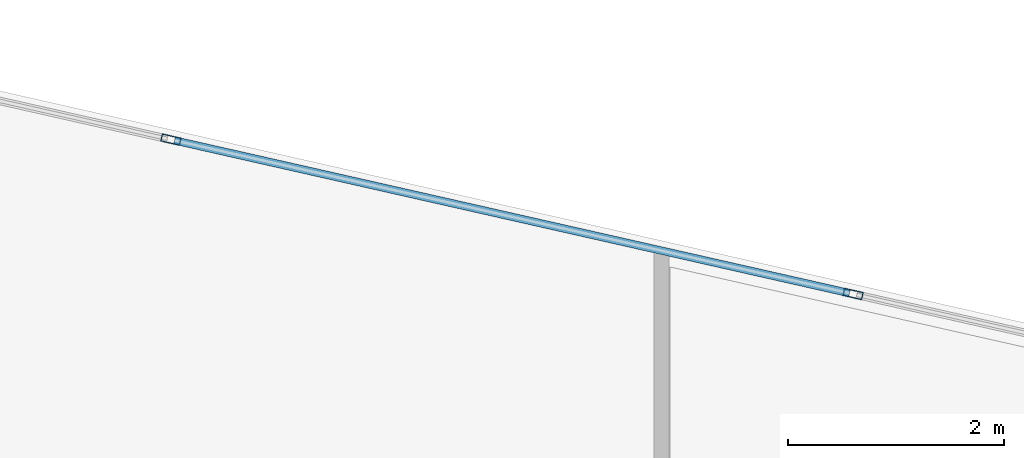
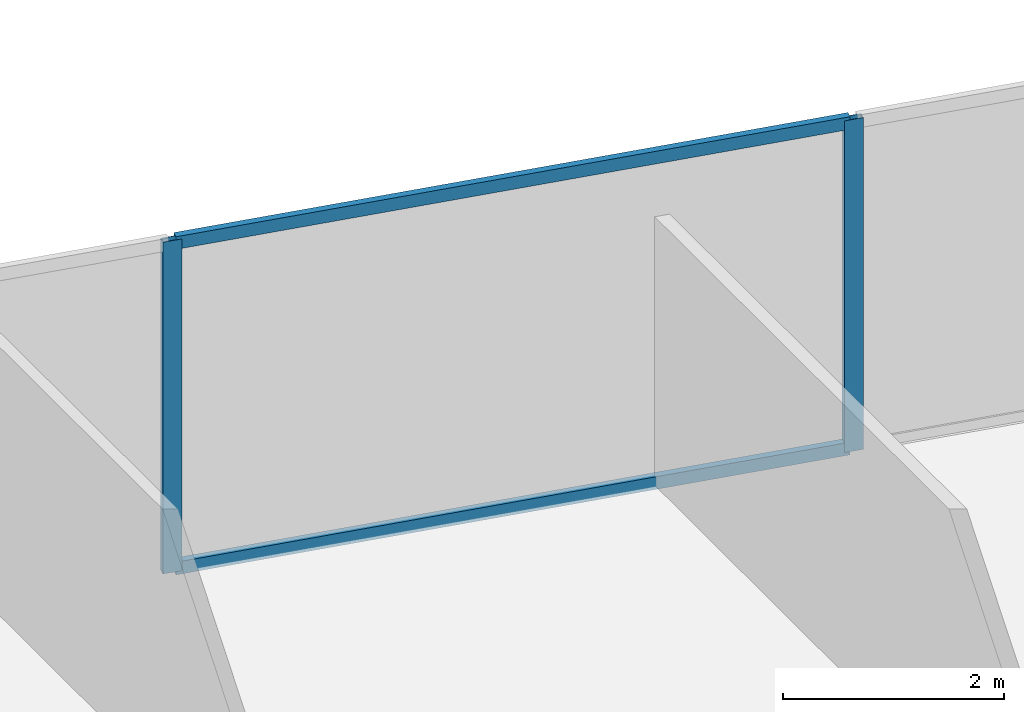
# One storey, part 21 of 27: 4 members, 1 element without a shape of its own.
"""IFC4 building model written with IfcOpenShell, lengths in metres."""

from ifc_helpers import new_model, si_unit, direction, frame, origin, origin_2d, place, context, subcontext, project, spatial, hollow_rectangle, extrude, source, transform, mapped, material, material_profile, profile_set, type_object, type_shapes, element, aggregate, save


model = new_model("IFC4")

# Units and contexts
model_context = context("Model", 3, precision=1e-05, world=origin(), true_north=direction((0.0, 1.0)))
body_context = subcontext(model_context, "Body", "Model", "MODEL_VIEW")
ifc_project = project(units=[si_unit("LENGTHUNIT", "METRE"), si_unit("AREAUNIT", "SQUARE_METRE"), si_unit("VOLUMEUNIT", "CUBIC_METRE"), si_unit("PLANEANGLEUNIT", "RADIAN"), si_unit("MASSUNIT", "GRAM", prefix="KILO")], contexts=[model_context])

# Site, building, storey
site_placement = place(None, origin())
site = spatial("IfcSite", under=ifc_project, at=site_placement, CompositionType="ELEMENT")
building_placement = place(site_placement, origin())
building = spatial("IfcBuilding", under=site, at=building_placement, Name="Krantzveldt Concourse Tower", CompositionType="ELEMENT")
storey_placement = place(building_placement, frame((0.0, 0.0, 86.10009765625)))
storey = spatial("IfcBuildingStorey", under=building, at=storey_placement, Name="L20", CompositionType="ELEMENT", Elevation=86.10009765625)

# Curtain wall, members
ifc_material = material(Name="Anodised aluminium 6063-T6", Category="aluminium")
curtain_wall_type = type_object("IfcCurtainWallType", Name="CW2", PredefinedType="USERDEFINED", material=ifc_material)
curtain_wall_placement = place(storey_placement, origin())
curtain_wall = element("IfcCurtainWall", 1, at=curtain_wall_placement, inside=storey, type_object=curtain_wall_type, Name="CW-L20-F10", ObjectType="UNITISED CURTAIN WALL", PredefinedType="USERDEFINED")
ifc_material_profile_1 = material_profile(ifc_material, hollow_rectangle(XDim=0.070068359375, YDim=0.179931640625, WallThickness=0.0048828125, at=origin_2d()), Name="Anodised aluminium 6063-T6", Category="aluminium")
ifc_profile_set_1 = profile_set([ifc_material_profile_1], Name="Anodised aluminium 6063-T6 - ALU-MULL 180x70x5")
member_type_1 = type_object("IfcMemberType", Name="CW-MUL-180", PredefinedType="MULLION", material=ifc_profile_set_1)
shared_shape_1 = source(origin(), body_context, "Body", "SweptSolid", [
    extrude(hollow_rectangle(XDim=0.070068359375, YDim=0.179931640625, WallThickness=0.0048828125, at=origin_2d()), origin(), (0.0, 0.0, 1.0), 3.669921875),
])
type_shapes(member_type_1, [shared_shape_1])
member_1_placement = place(storey_placement, frame((47.45166015625, 48.008056640625, 0.0), z_axis=(0.0, 0.0, 1.0), x_axis=(-0.220697434579, -0.975342320609, 0.0)))
member_1 = element("IfcMember", 2, at=member_1_placement, type_object=member_type_1, Name="CW-Z12 mullion 3", PredefinedType="MULLION", context=body_context, shape_type="MappedRepresentation", body=[
    mapped(shared_shape_1, transform((0.0, 0.0, 0.0), x_axis=(1.0, 0.0, 0.0), y_axis=(0.0, 1.0, 0.0), z_axis=(0.0, 0.0, 1.0), scale=1.0)),
])
member_2_placement = place(storey_placement, frame((41.14453125, 49.435302734375, 0.0), z_axis=(0.0, 0.0, 1.0), x_axis=(-0.220697434579, -0.975342320609, 0.0)))
member_2 = element("IfcMember", 3, at=member_2_placement, type_object=member_type_1, Name="CW-Z12 mullion 4", PredefinedType="MULLION", context=body_context, shape_type="MappedRepresentation", body=[
    mapped(shared_shape_1, transform((0.0, 0.0, 0.0), x_axis=(1.0, 0.0, 0.0), y_axis=(0.0, 1.0, 0.0), z_axis=(0.0, 0.0, 1.0), scale=1.0)),
])
ifc_material_profile_2 = material_profile(ifc_material, hollow_rectangle(XDim=0.070068359375, YDim=0.139892578125, WallThickness=0.0048828125, at=origin_2d()), Name="Anodised aluminium 6063-T6", Category="aluminium")
ifc_profile_set_2 = profile_set([ifc_material_profile_2], Name="Anodised aluminium 6063-T6 - ALU-TRAN 140x70x5")
member_type_2 = type_object("IfcMemberType", Name="CW-TRN-150", PredefinedType="USERDEFINED", material=ifc_profile_set_2)
shared_shape_2 = source(origin(), body_context, "Body", "SweptSolid", [
    extrude(hollow_rectangle(XDim=0.070068359375, YDim=0.139892578125, WallThickness=0.0048828125, at=origin_2d()), origin(), (0.0, 0.0, 1.0), 6.396484375),
])
type_shapes(member_type_2, [shared_shape_2])
member_3_placement = place(storey_placement, frame((47.41748046875, 48.015869140625, 0.034912109375), z_axis=(-0.975344619733, 0.220687273667, 0.0), x_axis=(-0.220687273667, -0.975344619733, 0.0)))
member_3 = element("IfcMember", 4, at=member_3_placement, type_object=member_type_2, Name="CW-Z12 transom 3.1", ObjectType="TRANSOM", PredefinedType="USERDEFINED", context=body_context, shape_type="MappedRepresentation", body=[
    mapped(shared_shape_2, transform((0.0, 0.0, 0.0), x_axis=(1.0, 0.0, 0.0), y_axis=(0.0, 1.0, 0.0), z_axis=(0.0, 0.0, 1.0), scale=1.0)),
])
member_4_placement = place(storey_placement, frame((47.41748046875, 48.015869140625, 3.635009765625), z_axis=(-0.975344619733, 0.220687273667, 0.0), x_axis=(-0.220687273667, -0.975344619733, 0.0)))
member_4 = element("IfcMember", 5, at=member_4_placement, type_object=member_type_2, Name="CW-Z12 transom 3.2", ObjectType="TRANSOM", PredefinedType="USERDEFINED", context=body_context, shape_type="MappedRepresentation", body=[
    mapped(shared_shape_2, transform((0.0, 0.0, 0.0), x_axis=(1.0, 0.0, 0.0), y_axis=(0.0, 1.0, 0.0), z_axis=(0.0, 0.0, 1.0), scale=1.0)),
])
aggregate(curtain_wall, [member_1, member_2, member_3, member_4])

save(model, "model.ifc")
